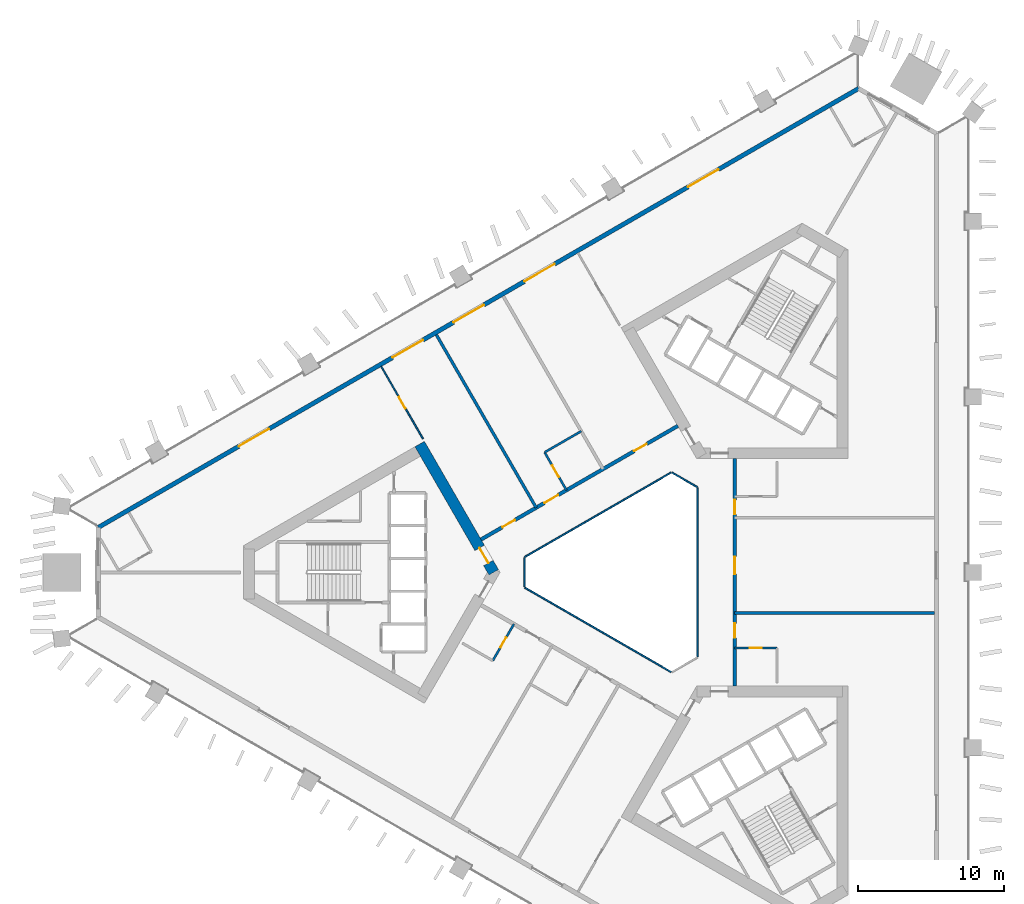
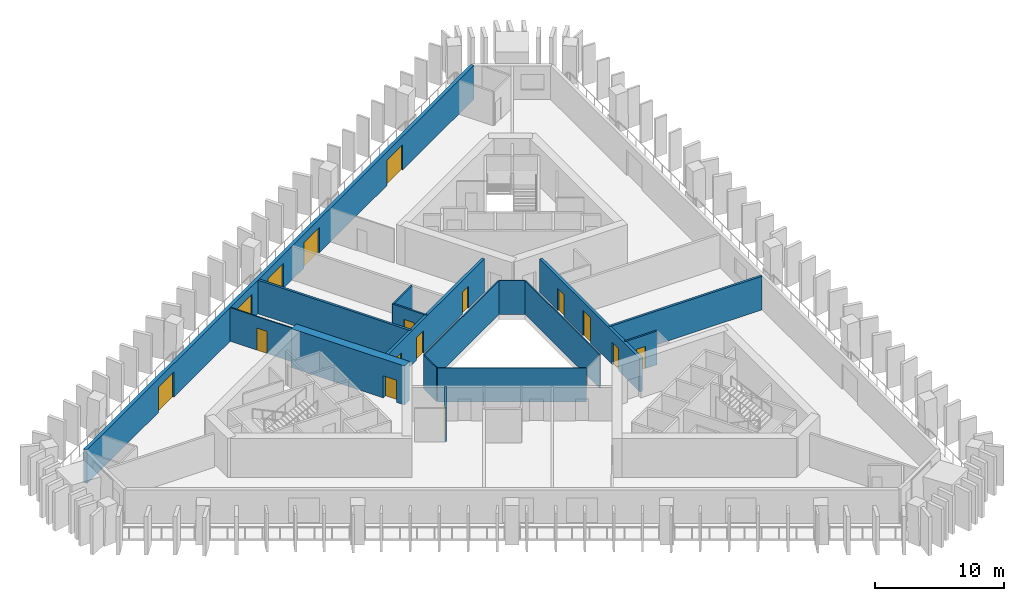
# One storey, part 4 of 10: 16 doors, 16 walls, 16 openings.
"""IFC4 building model written with IfcOpenShell, lengths in metres."""

from ifc_helpers import new_model, si_unit, direction, frame, frame_2d, origin, place, context, subcontext, project, spatial, rectangle, extrude, material, layer, layer_set, type_object, element, fill, save


model = new_model("IFC4")

# Units and contexts
model_context = context("Model", 3, precision=1e-05, world=origin(), true_north=direction((0.0, 1.0)))
body_context = subcontext(model_context, "Body", "Model", "MODEL_VIEW")
ifc_project = project(units=[si_unit("LENGTHUNIT", "METRE"), si_unit("AREAUNIT", "SQUARE_METRE"), si_unit("VOLUMEUNIT", "CUBIC_METRE"), si_unit("PLANEANGLEUNIT", "RADIAN"), si_unit("MASSUNIT", "GRAM", prefix="KILO")], contexts=[model_context])

# Site, building, storey
site_placement = place(None, origin())
site = spatial("IfcSite", under=ifc_project, at=site_placement, CompositionType="ELEMENT")
building_placement = place(site_placement, origin())
building = spatial("IfcBuilding", under=site, at=building_placement, Name="Jabali Bay Hotel Tower and Convention Centre", CompositionType="ELEMENT")
storey_placement = place(building_placement, frame((0.0, 0.0, 57.300048828125)))
storey = spatial("IfcBuildingStorey", under=building, at=storey_placement, Name="L12", CompositionType="ELEMENT", Elevation=57.300048828125)

# Walls
ifc_material_1 = material(Name="Fire-resistant glazing", Category="glass")
ifc_layer_1 = layer(ifc_material_1, 0.10009765625)
ifc_layer_set_1 = layer_set([ifc_layer_1], Name="Fire-resistant glazing")
wall_type_1 = type_object("IfcWallType", Name="Atrium glazed screen 100", PredefinedType="PARTITIONING", material=ifc_layer_set_1)
wall_1_placement = place(storey_placement, frame((79.56005859375, 74.205810546875, 0.0), z_axis=(0.0, 0.0, 1.0), x_axis=(0.0, 1.0, 0.0)))
element("IfcWall", 1, at=wall_1_placement, inside=storey, type_object=wall_type_1, Name="Atrium screen 1 L12", PredefinedType="PARTITIONING", context=body_context, shape_type="SweptSolid", body=[
    extrude(rectangle(XDim=11.58837890625, YDim=0.10009765625, at=frame_2d((5.794189453125, 0.0))), origin(), (0.0, 0.0, 1.0), 3.199951171875),
])
wall_2_placement = place(storey_placement, frame((79.530029296875, 85.84619140625, 0.0), z_axis=(0.0, 0.0, 1.0), x_axis=(-0.866041268327, 0.499972520799, 0.0)))
element("IfcWall", 2, at=wall_2_placement, inside=storey, type_object=wall_type_1, Name="Atrium screen 2 L12", PredefinedType="PARTITIONING", context=body_context, shape_type="SweptSolid", body=[
    extrude(rectangle(XDim=2.0, YDim=0.10009765625, at=frame_2d((1.0, 0.0))), origin(), (0.0, 0.0, 1.0), 3.199951171875),
])
wall_3_placement = place(storey_placement, frame((77.738037109375, 86.84619140625, 0.0), z_axis=(0.0, 0.0, 1.0), x_axis=(-0.866026658274, -0.499997827154, 0.0)))
element("IfcWall", 3, at=wall_3_placement, inside=storey, type_object=wall_type_1, Name="Atrium screen 3 L12", PredefinedType="PARTITIONING", context=body_context, shape_type="SweptSolid", body=[
    extrude(rectangle(XDim=11.58837890625, YDim=0.10009765625, at=frame_2d((5.794189453125, 0.0))), origin(), (0.0, 0.0, 1.0), 3.199951171875),
])
wall_4_placement = place(storey_placement, frame((67.672119140625, 81.0, 0.0), z_axis=(0.0, 0.0, 1.0), x_axis=(0.0, -1.0, 0.0)))
element("IfcWall", 4, at=wall_4_placement, inside=storey, type_object=wall_type_1, Name="Atrium screen 4 L12", PredefinedType="PARTITIONING", context=body_context, shape_type="SweptSolid", body=[
    extrude(rectangle(XDim=2.0, YDim=0.10009765625, at=frame_2d((1.0, 0.0))), origin(), (0.0, 0.0, 1.0), 3.199951171875),
])
wall_5_placement = place(storey_placement, frame((67.7021484375, 78.947998046875, 0.0), z_axis=(0.0, 0.0, 1.0), x_axis=(0.866026658274, -0.499997827154, 0.0)))
element("IfcWall", 5, at=wall_5_placement, inside=storey, type_object=wall_type_1, Name="Atrium screen 5 L12", PredefinedType="PARTITIONING", context=body_context, shape_type="SweptSolid", body=[
    extrude(rectangle(XDim=11.58837890625, YDim=0.10009765625, at=frame_2d((5.794189453125, 0.0))), origin(), (0.0, 0.0, 1.0), 3.199951171875),
])

# Wall, opening, door
ifc_material_2 = material(Name="Concrete C60", Category="concrete")
ifc_layer_2 = layer(ifc_material_2, 0.75)
ifc_layer_set_2 = layer_set([ifc_layer_2], Name="Concrete C60")
wall_type_2 = type_object("IfcWallType", Name="Core wall 750", PredefinedType="SHEAR", material=ifc_layer_set_2)
wall_6_placement = place(storey_placement, frame((65.56689453125, 80.0, 0.0), z_axis=(0.0, 0.0, 1.0), x_axis=(-0.499988615364, 0.866031976607, 0.0)))
wall_6 = element("IfcWall", 6, at=wall_6_placement, inside=storey, type_object=wall_type_2, Name="Core wall 1.1 L12", PredefinedType="SHEAR", context=body_context, shape_type="SweptSolid", body=[
    extrude(rectangle(XDim=10.163330078125, YDim=0.75, at=frame_2d((5.08154296875, 0.0))), origin(), (0.0, 0.0, 1.0), 3.699951171875),
])
opening_1_placement = place(wall_6_placement, frame((0.7333984375, 0.0, 0.0)))
opening_1 = element("IfcOpeningElement", 7, at=opening_1_placement, cuts=wall_6, Name="Opening D324", PredefinedType="OPENING", context=body_context, shape_type="SweptSolid", body=[
    extrude(rectangle(XDim=1.199951171875, YDim=2.10009765625, at=frame_2d((0.60009765625, 1.050048828125))), frame((0.0, 0.385498046875, 0.0), z_axis=(0.0, -1.0, 0.0), x_axis=(1.0, 0.0, 0.0)), (0.0, 0.0, 1.0), 0.77099609375),
])
ifc_material_3 = material(Name="Fire-rated steel door", Category="steel")
door_type_1 = type_object("IfcDoorType", Name="Corridor end fire door 1200 x 2100", OperationType="NOTDEFINED", PredefinedType="NOTDEFINED", material=ifc_material_3)
door_1_placement = place(opening_1_placement, origin())
door_1 = element("IfcDoor", 8, at=door_1_placement, inside=storey, type_object=door_type_1, Name="Corridor end fire door D324", OperationType="SINGLE_SWING_RIGHT", OverallHeight=2.10009765625, OverallWidth=1.199951171875, PredefinedType="NOTDEFINED", context=body_context, shape_type="SweptSolid", body=[
    extrude(rectangle(XDim=1.199951171875, YDim=2.10009765625, at=frame_2d((0.60009765625, 1.050048828125))), frame((0.0, 0.02490234375, 0.0), z_axis=(0.0, -1.0, 0.0), x_axis=(1.0, 0.0, 0.0)), (0.0, 0.0, 1.0), 0.050048828125),
])
fill(opening_1, door_1)

# Wall, openings, doors
ifc_layer_3 = layer(ifc_material_2, 0.25)
ifc_layer_set_3 = layer_set([ifc_layer_3], Name="Concrete C60")
wall_type_3 = type_object("IfcWallType", Name="Corridor wall 250", PredefinedType="SHEAR", material=ifc_layer_set_3)
wall_7_placement = place(storey_placement, frame((82.10009765625, 72.205810546875, 0.0), z_axis=(0.0, 0.0, 1.0), x_axis=(0.0, 1.0, 0.0)))
wall_7 = element("IfcWall", 9, at=wall_7_placement, inside=storey, type_object=wall_type_3, Name="Corridor wall 1 L12", PredefinedType="SHEAR", context=body_context, shape_type="SweptSolid", body=[
    extrude(rectangle(XDim=15.58837890625, YDim=0.25, at=frame_2d((7.794189453125, 0.0))), origin(), (0.0, 0.0, 1.0), 3.199951171875),
])
opening_2_placement = place(wall_7_placement, frame((3.294189453125, 0.0, 0.0)))
opening_2 = element("IfcOpeningElement", 10, at=opening_2_placement, cuts=wall_7, Name="Opening 1202", PredefinedType="OPENING", context=body_context, shape_type="SweptSolid", body=[
    extrude(rectangle(XDim=1.0, YDim=2.10009765625, at=frame_2d((0.5, 1.050048828125))), frame((0.0, 0.135498046875, 0.0), z_axis=(0.0, -1.0, 0.0), x_axis=(1.0, 0.0, 0.0)), (0.0, 0.0, 1.0), 0.27099609375),
])
opening_3_placement = place(wall_7_placement, frame((7.661865234375, 0.0, 0.0)))
opening_3 = element("IfcOpeningElement", 11, at=opening_3_placement, cuts=wall_7, Name="Opening 1203", PredefinedType="OPENING", context=body_context, shape_type="SweptSolid", body=[
    extrude(rectangle(XDim=1.199951171875, YDim=2.39990234375, at=frame_2d((0.60009765625, 1.199951171875))), frame((0.0, 0.135498046875, 0.0), z_axis=(0.0, -1.0, 0.0), x_axis=(1.0, 0.0, 0.0)), (0.0, 0.0, 1.0), 0.27099609375),
])
opening_4_placement = place(wall_7_placement, frame((11.761962890625, 0.0, 0.0)))
opening_4 = element("IfcOpeningElement", 12, at=opening_4_placement, cuts=wall_7, Name="Opening 1205", PredefinedType="OPENING", context=body_context, shape_type="SweptSolid", body=[
    extrude(rectangle(XDim=1.0, YDim=2.10009765625, at=frame_2d((0.5, 1.050048828125))), frame((0.0, 0.135498046875, 0.0), z_axis=(0.0, -1.0, 0.0), x_axis=(1.0, 0.0, 0.0)), (0.0, 0.0, 1.0), 0.27099609375),
])
ifc_material_4 = material(Name="Timber", Category="wood")
door_type_2 = type_object("IfcDoorType", Name="Guest room door 1000 x 2100", OperationType="NOTDEFINED", PredefinedType="NOTDEFINED", material=ifc_material_4)
door_2_placement = place(opening_2_placement, origin())
door_2 = element("IfcDoor", 13, at=door_2_placement, inside=storey, type_object=door_type_2, Name="Door 1202", OperationType="SINGLE_SWING_LEFT", OverallHeight=2.10009765625, OverallWidth=1.0, PredefinedType="NOTDEFINED", context=body_context, shape_type="SweptSolid", body=[
    extrude(rectangle(XDim=1.0, YDim=2.10009765625, at=frame_2d((0.5, 1.050048828125))), frame((0.0, 0.02490234375, 0.0), z_axis=(0.0, -1.0, 0.0), x_axis=(1.0, 0.0, 0.0)), (0.0, 0.0, 1.0), 0.050048828125),
])
fill(opening_2, door_2)
door_3_placement = place(opening_4_placement, origin())
door_3 = element("IfcDoor", 14, at=door_3_placement, inside=storey, type_object=door_type_2, Name="Door 1205", OperationType="SINGLE_SWING_RIGHT", OverallHeight=2.10009765625, OverallWidth=1.0, PredefinedType="NOTDEFINED", context=body_context, shape_type="SweptSolid", body=[
    extrude(rectangle(XDim=1.0, YDim=2.10009765625, at=frame_2d((0.5, 1.050048828125))), frame((0.0, 0.02490234375, 0.0), z_axis=(0.0, -1.0, 0.0), x_axis=(1.0, 0.0, 0.0)), (0.0, 0.0, 1.0), 0.050048828125),
])
fill(opening_4, door_3)
door_type_3 = type_object("IfcDoorType", Name="Public room door 1200 x 2400", OperationType="NOTDEFINED", PredefinedType="NOTDEFINED", material=ifc_material_4)
door_4_placement = place(opening_3_placement, origin())
door_4 = element("IfcDoor", 15, at=door_4_placement, inside=storey, type_object=door_type_3, Name="Door 1203", OperationType="SINGLE_SWING_RIGHT", OverallHeight=2.39990234375, OverallWidth=1.199951171875, PredefinedType="NOTDEFINED", context=body_context, shape_type="SweptSolid", body=[
    extrude(rectangle(XDim=1.199951171875, YDim=2.39990234375, at=frame_2d((0.60009765625, 1.199951171875))), frame((0.0, 0.02490234375, 0.0), z_axis=(0.0, -1.0, 0.0), x_axis=(1.0, 0.0, 0.0)), (0.0, 0.0, 1.0), 0.050048828125),
])
fill(opening_3, door_4)

wall_8_placement = place(storey_placement, frame((78.199951171875, 90.0458984375, 0.0), z_axis=(0.0, 0.0, 1.0), x_axis=(-0.866026492143, -0.499998114903, 0.0)))
wall_8 = element("IfcWall", 16, at=wall_8_placement, inside=storey, type_object=wall_type_3, Name="Corridor wall 2 L12", PredefinedType="SHEAR", context=body_context, shape_type="SweptSolid", body=[
    extrude(rectangle(XDim=15.58837890625, YDim=0.25, at=frame_2d((7.794189453125, 0.0))), origin(), (0.0, 0.0, 1.0), 3.199951171875),
])
opening_5_placement = place(wall_8_placement, frame((2.4619140625, 0.0, 0.0)))
opening_5 = element("IfcOpeningElement", 17, at=opening_5_placement, cuts=wall_8, Name="Opening 1206", PredefinedType="OPENING", context=body_context, shape_type="SweptSolid", body=[
    extrude(rectangle(XDim=1.0, YDim=2.10009765625, at=frame_2d((0.5, 1.050048828125))), frame((0.0, 0.135498046875, 0.0), z_axis=(0.0, -1.0, 0.0), x_axis=(1.0, 0.0, 0.0)), (0.0, 0.0, 1.0), 0.27099609375),
])
opening_6_placement = place(wall_8_placement, frame((9.4736328125, 0.0, 0.0)))
opening_6 = element("IfcOpeningElement", 18, at=opening_6_placement, cuts=wall_8, Name="Opening 1210", PredefinedType="OPENING", context=body_context, shape_type="SweptSolid", body=[
    extrude(rectangle(XDim=1.10009765625, YDim=2.10009765625, at=frame_2d((0.550048828125, 1.050048828125))), frame((0.0, 0.135498046875, 0.0), z_axis=(0.0, -1.0, 0.0), x_axis=(1.0, 0.0, 0.0)), (0.0, 0.0, 1.0), 0.27099609375),
])
opening_7_placement = place(wall_8_placement, frame((12.906005859375, 0.0, 0.0)))
opening_7 = element("IfcOpeningElement", 19, at=opening_7_placement, cuts=wall_8, Name="Opening 1211", PredefinedType="OPENING", context=body_context, shape_type="SweptSolid", body=[
    extrude(rectangle(XDim=1.0, YDim=2.10009765625, at=frame_2d((0.5, 1.050048828125))), frame((0.0, 0.135498046875, 0.0), z_axis=(0.0, -1.0, 0.0), x_axis=(1.0, 0.0, 0.0)), (0.0, 0.0, 1.0), 0.27099609375),
])
door_type_4 = type_object("IfcDoorType", Name="Accessible guest room door 1100 x 2100", OperationType="NOTDEFINED", PredefinedType="NOTDEFINED", material=ifc_material_4)
door_5_placement = place(opening_6_placement, origin())
door_5 = element("IfcDoor", 20, at=door_5_placement, inside=storey, type_object=door_type_4, Name="Door 1210", OperationType="SINGLE_SWING_RIGHT", OverallHeight=2.10009765625, OverallWidth=1.10009765625, PredefinedType="NOTDEFINED", context=body_context, shape_type="SweptSolid", body=[
    extrude(rectangle(XDim=1.10009765625, YDim=2.10009765625, at=frame_2d((0.550048828125, 1.050048828125))), frame((0.0, 0.02490234375, 0.0), z_axis=(0.0, -1.0, 0.0), x_axis=(1.0, 0.0, 0.0)), (0.0, 0.0, 1.0), 0.050048828125),
])
fill(opening_6, door_5)
door_6_placement = place(opening_5_placement, origin())
door_6 = element("IfcDoor", 21, at=door_6_placement, inside=storey, type_object=door_type_2, Name="Door 1206", OperationType="SINGLE_SWING_LEFT", OverallHeight=2.10009765625, OverallWidth=1.0, PredefinedType="NOTDEFINED", context=body_context, shape_type="SweptSolid", body=[
    extrude(rectangle(XDim=1.0, YDim=2.10009765625, at=frame_2d((0.5, 1.050048828125))), frame((0.0, 0.02490234375, 0.0), z_axis=(0.0, -1.0, 0.0), x_axis=(1.0, 0.0, 0.0)), (0.0, 0.0, 1.0), 0.050048828125),
])
fill(opening_5, door_6)
door_7_placement = place(opening_7_placement, origin())
door_7 = element("IfcDoor", 22, at=door_7_placement, inside=storey, type_object=door_type_2, Name="Door 1211", OperationType="SINGLE_SWING_RIGHT", OverallHeight=2.10009765625, OverallWidth=1.0, PredefinedType="NOTDEFINED", context=body_context, shape_type="SweptSolid", body=[
    extrude(rectangle(XDim=1.0, YDim=2.10009765625, at=frame_2d((0.5, 1.050048828125))), frame((0.0, 0.02490234375, 0.0), z_axis=(0.0, -1.0, 0.0), x_axis=(1.0, 0.0, 0.0)), (0.0, 0.0, 1.0), 0.050048828125),
])
fill(opening_7, door_7)

ifc_material_5 = material(Name="Concrete C40", Category="concrete")
ifc_layer_4 = layer(ifc_material_5, 0.300048828125)
ifc_layer_set_4 = layer_set([ifc_layer_4], Name="Concrete C40")
wall_type_4 = type_object("IfcWallType", Name="External wall 300", PredefinedType="SOLIDWALL", material=ifc_layer_set_4)
wall_9_placement = place(storey_placement, frame((38.44091796875, 83.082275390625, 0.0), z_axis=(0.0, 0.0, 1.0), x_axis=(0.866026578911, 0.499997964616, 0.0)))
wall_9 = element("IfcWall", 23, at=wall_9_placement, inside=storey, type_object=wall_type_4, Name="External wall north-west face L12", PredefinedType="SOLIDWALL", context=body_context, shape_type="SweptSolid", body=[
    extrude(rectangle(XDim=60.239990234375, YDim=0.300048828125, at=frame_2d((30.1201171875, 0.0))), origin(), (0.0, 0.0, 1.0), 3.199951171875),
])
opening_8_placement = place(wall_9_placement, frame((28.140625, 0.0, 0.0)))
opening_8 = element("IfcOpeningElement", 24, at=opening_8_placement, cuts=wall_9, Name="Opening SD1", PredefinedType="OPENING", context=body_context, shape_type="SweptSolid", body=[
    extrude(rectangle(XDim=2.39990234375, YDim=2.39990234375, at=frame_2d((1.199951171875, 1.199951171875))), frame((0.0, 0.16064453125, 0.0), z_axis=(0.0, -1.0, 0.0), x_axis=(1.0, 0.0, 0.0)), (0.0, 0.0, 1.0), 0.321044921875),
])
opening_9_placement = place(wall_9_placement, frame((33.75244140625, 0.0, 0.0)))
opening_9 = element("IfcOpeningElement", 25, at=opening_9_placement, cuts=wall_9, Name="Opening SD1", PredefinedType="OPENING", context=body_context, shape_type="SweptSolid", body=[
    extrude(rectangle(XDim=2.39990234375, YDim=2.39990234375, at=frame_2d((1.199951171875, 1.199951171875))), frame((0.0, 0.16064453125, 0.0), z_axis=(0.0, -1.0, 0.0), x_axis=(1.0, 0.0, 0.0)), (0.0, 0.0, 1.0), 0.321044921875),
])
opening_10_placement = place(wall_9_placement, frame((46.7216796875, 0.0, 0.0)))
opening_10 = element("IfcOpeningElement", 26, at=opening_10_placement, cuts=wall_9, Name="Opening SD1", PredefinedType="OPENING", context=body_context, shape_type="SweptSolid", body=[
    extrude(rectangle(XDim=2.39990234375, YDim=2.39990234375, at=frame_2d((1.199951171875, 1.199951171875))), frame((0.0, 0.16064453125, 0.0), z_axis=(0.0, -1.0, 0.0), x_axis=(1.0, 0.0, 0.0)), (0.0, 0.0, 1.0), 0.321044921875),
])
opening_11_placement = place(wall_9_placement, frame((23.308349609375, 0.0, 0.0)))
opening_11 = element("IfcOpeningElement", 27, at=opening_11_placement, cuts=wall_9, Name="Opening SD1", PredefinedType="OPENING", context=body_context, shape_type="SweptSolid", body=[
    extrude(rectangle(XDim=2.39990234375, YDim=2.39990234375, at=frame_2d((1.199951171875, 1.199951171875))), frame((0.0, 0.16064453125, 0.0), z_axis=(0.0, -1.0, 0.0), x_axis=(1.0, 0.0, 0.0)), (0.0, 0.0, 1.0), 0.321044921875),
])
opening_12_placement = place(wall_9_placement, frame((11.116943359375, 0.0, 0.0)))
opening_12 = element("IfcOpeningElement", 28, at=opening_12_placement, cuts=wall_9, Name="Opening SD1", PredefinedType="OPENING", context=body_context, shape_type="SweptSolid", body=[
    extrude(rectangle(XDim=2.39990234375, YDim=2.39990234375, at=frame_2d((1.199951171875, 1.199951171875))), frame((0.0, 0.16064453125, 0.0), z_axis=(0.0, -1.0, 0.0), x_axis=(1.0, 0.0, 0.0)), (0.0, 0.0, 1.0), 0.321044921875),
])
ifc_material_6 = material(Name="Glass", Category="glass")
door_type_5 = type_object("IfcDoorType", Name="Loggia sliding door 2400 x 2400", OperationType="NOTDEFINED", PredefinedType="NOTDEFINED", material=ifc_material_6)
door_8_placement = place(opening_8_placement, origin())
door_8 = element("IfcDoor", 29, at=door_8_placement, inside=storey, type_object=door_type_5, Name="Loggia sliding door 1204", OperationType="SLIDING_TO_LEFT", OverallHeight=2.39990234375, OverallWidth=2.39990234375, PredefinedType="NOTDEFINED", context=body_context, shape_type="SweptSolid", body=[
    extrude(rectangle(XDim=2.39990234375, YDim=2.39990234375, at=frame_2d((1.199951171875, 1.199951171875))), frame((0.0, 0.02490234375, 0.0), z_axis=(0.0, -1.0, 0.0), x_axis=(1.0, 0.0, 0.0)), (0.0, 0.0, 1.0), 0.050048828125),
])
fill(opening_8, door_8)
door_9_placement = place(opening_9_placement, origin())
door_9 = element("IfcDoor", 30, at=door_9_placement, inside=storey, type_object=door_type_5, Name="Loggia sliding door 1203", OperationType="SLIDING_TO_RIGHT", OverallHeight=2.39990234375, OverallWidth=2.39990234375, PredefinedType="NOTDEFINED", context=body_context, shape_type="SweptSolid", body=[
    extrude(rectangle(XDim=2.39990234375, YDim=2.39990234375, at=frame_2d((1.199951171875, 1.199951171875))), frame((0.0, 0.02490234375, 0.0), z_axis=(0.0, -1.0, 0.0), x_axis=(1.0, 0.0, 0.0)), (0.0, 0.0, 1.0), 0.050048828125),
])
fill(opening_9, door_9)
door_10_placement = place(opening_10_placement, origin())
door_10 = element("IfcDoor", 31, at=door_10_placement, inside=storey, type_object=door_type_5, Name="Loggia sliding door 1203", OperationType="SLIDING_TO_LEFT", OverallHeight=2.39990234375, OverallWidth=2.39990234375, PredefinedType="NOTDEFINED", context=body_context, shape_type="SweptSolid", body=[
    extrude(rectangle(XDim=2.39990234375, YDim=2.39990234375, at=frame_2d((1.199951171875, 1.199951171875))), frame((0.0, 0.02490234375, 0.0), z_axis=(0.0, -1.0, 0.0), x_axis=(1.0, 0.0, 0.0)), (0.0, 0.0, 1.0), 0.050048828125),
])
fill(opening_10, door_10)
door_11_placement = place(opening_11_placement, origin())
door_11 = element("IfcDoor", 32, at=door_11_placement, inside=storey, type_object=door_type_5, Name="Loggia sliding door 1205", OperationType="SLIDING_TO_RIGHT", OverallHeight=2.39990234375, OverallWidth=2.39990234375, PredefinedType="NOTDEFINED", context=body_context, shape_type="SweptSolid", body=[
    extrude(rectangle(XDim=2.39990234375, YDim=2.39990234375, at=frame_2d((1.199951171875, 1.199951171875))), frame((0.0, 0.02490234375, 0.0), z_axis=(0.0, -1.0, 0.0), x_axis=(1.0, 0.0, 0.0)), (0.0, 0.0, 1.0), 0.050048828125),
])
fill(opening_11, door_11)
door_12_placement = place(opening_12_placement, origin())
door_12 = element("IfcDoor", 33, at=door_12_placement, inside=storey, type_object=door_type_5, Name="Loggia sliding door 1205", OperationType="SLIDING_TO_LEFT", OverallHeight=2.39990234375, OverallWidth=2.39990234375, PredefinedType="NOTDEFINED", context=body_context, shape_type="SweptSolid", body=[
    extrude(rectangle(XDim=2.39990234375, YDim=2.39990234375, at=frame_2d((1.199951171875, 1.199951171875))), frame((0.0, 0.02490234375, 0.0), z_axis=(0.0, -1.0, 0.0), x_axis=(1.0, 0.0, 0.0)), (0.0, 0.0, 1.0), 0.050048828125),
])
fill(opening_12, door_12)

# Wall, opening, door
ifc_material_7 = material(Name="Plasterboard on steel stud", Category="steel")
ifc_layer_5 = layer(ifc_material_7, 0.10009765625)
ifc_layer_set_5 = layer_set([ifc_layer_5], Name="Plasterboard on steel stud")
wall_type_5 = type_object("IfcWallType", Name="Partition 100 unit", PredefinedType="PARTITIONING", material=ifc_layer_set_5)
wall_10_placement = place(storey_placement, frame((57.85009765625, 94.115966796875, 0.0), z_axis=(0.0, 0.0, 1.0), x_axis=(0.499994590374, -0.866028527011, 0.0)))
wall_10 = element("IfcWall", 34, at=wall_10_placement, inside=storey, type_object=wall_type_5, Name="Partition P02 L12 017", PredefinedType="PARTITIONING", context=body_context, shape_type="SweptSolid", body=[
    extrude(rectangle(XDim=5.720703125, YDim=0.10009765625, at=frame_2d((2.8603515625, 0.0))), origin(), (0.0, 0.0, 1.0), 3.199951171875),
])
opening_13_placement = place(wall_10_placement, frame((2.409912109375, 0.0, 0.0)))
opening_13 = element("IfcOpeningElement", 35, at=opening_13_placement, cuts=wall_10, Name="Opening 1212", PredefinedType="OPENING", context=body_context, shape_type="SweptSolid", body=[
    extrude(rectangle(XDim=0.89990234375, YDim=2.10009765625, at=frame_2d((0.449951171875, 1.050048828125))), frame((0.0, 0.060546875, 0.0), z_axis=(0.0, -1.0, 0.0), x_axis=(1.0, 0.0, 0.0)), (0.0, 0.0, 1.0), 0.12109375),
])
door_type_6 = type_object("IfcDoorType", Name="Internal door 900 x 2100", OperationType="NOTDEFINED", PredefinedType="NOTDEFINED", material=ifc_material_4)
door_13_placement = place(opening_13_placement, origin())
door_13 = element("IfcDoor", 36, at=door_13_placement, inside=storey, type_object=door_type_6, Name="Door 1212", OperationType="SINGLE_SWING_LEFT", OverallHeight=2.10009765625, OverallWidth=0.89990234375, PredefinedType="NOTDEFINED", context=body_context, shape_type="SweptSolid", body=[
    extrude(rectangle(XDim=0.89990234375, YDim=2.10009765625, at=frame_2d((0.449951171875, 1.050048828125))), frame((0.0, 0.02490234375, 0.0), z_axis=(0.0, -1.0, 0.0), x_axis=(1.0, 0.0, 0.0)), (0.0, 0.0, 1.0), 0.050048828125),
])
fill(opening_13, door_13)

ifc_layer_6 = layer(ifc_material_7, 0.14990234375)
ifc_layer_set_6 = layer_set([ifc_layer_6], Name="Plasterboard on steel stud")
wall_type_6 = type_object("IfcWallType", Name="Partition 150 wet", PredefinedType="PARTITIONING", material=ifc_layer_set_6)
wall_11_placement = place(storey_placement, frame((82.10009765625, 74.8056640625, 0.0), z_axis=(0.0, 0.0, 1.0), x_axis=(1.0, 0.0, 0.0)))
wall_11 = element("IfcWall", 37, at=wall_11_placement, inside=storey, type_object=wall_type_6, Name="Partition P03 L12 001", PredefinedType="PARTITIONING", context=body_context, shape_type="SweptSolid", body=[
    extrude(rectangle(XDim=2.89990234375, YDim=0.14990234375, at=frame_2d((1.449951171875, 0.0))), origin(), (0.0, 0.0, 1.0), 3.199951171875),
])
opening_14_placement = place(wall_11_placement, frame((1.050048828125, 0.0, 0.0)))
opening_14 = element("IfcOpeningElement", 38, at=opening_14_placement, cuts=wall_11, Name="Opening 1201", PredefinedType="OPENING", context=body_context, shape_type="SweptSolid", body=[
    extrude(rectangle(XDim=0.800048828125, YDim=2.10009765625, at=frame_2d((0.39990234375, 1.050048828125))), frame((0.0, 0.08544921875, 0.0), z_axis=(0.0, -1.0, 0.0), x_axis=(1.0, 0.0, 0.0)), (0.0, 0.0, 1.0), 0.1708984375),
])
door_type_7 = type_object("IfcDoorType", Name="En-suite door 800 x 2100", OperationType="NOTDEFINED", PredefinedType="NOTDEFINED", material=ifc_material_4)
door_14_placement = place(opening_14_placement, origin())
door_14 = element("IfcDoor", 39, at=door_14_placement, inside=storey, type_object=door_type_7, Name="Door 1201", OperationType="SINGLE_SWING_LEFT", OverallHeight=2.10009765625, OverallWidth=0.800048828125, PredefinedType="NOTDEFINED", context=body_context, shape_type="SweptSolid", body=[
    extrude(rectangle(XDim=0.800048828125, YDim=2.10009765625, at=frame_2d((0.39990234375, 1.050048828125))), frame((0.0, 0.02490234375, 0.0), z_axis=(0.0, -1.0, 0.0), x_axis=(1.0, 0.0, 0.0)), (0.0, 0.0, 1.0), 0.050048828125),
])
fill(opening_14, door_14)

wall_12_placement = place(storey_placement, frame((70.55859375, 85.634033203125, 0.0), z_axis=(0.0, 0.0, 1.0), x_axis=(-0.499990139034, 0.866031096941, 0.0)))
wall_12 = element("IfcWall", 40, at=wall_12_placement, inside=storey, type_object=wall_type_6, Name="Partition P03 L12 014", PredefinedType="PARTITIONING", context=body_context, shape_type="SweptSolid", body=[
    extrude(rectangle(XDim=3.0, YDim=0.14990234375, at=frame_2d((1.5, 0.0))), origin(), (0.0, 0.0, 1.0), 3.199951171875),
])
opening_15_placement = place(wall_12_placement, frame((1.050048828125, 0.0, 0.0)))
opening_15 = element("IfcOpeningElement", 41, at=opening_15_placement, cuts=wall_12, Name="Opening 1209", PredefinedType="OPENING", context=body_context, shape_type="SweptSolid", body=[
    extrude(rectangle(XDim=0.89990234375, YDim=2.10009765625, at=frame_2d((0.449951171875, 1.050048828125))), frame((0.0, 0.08544921875, 0.0), z_axis=(0.0, -1.0, 0.0), x_axis=(1.0, 0.0, 0.0)), (0.0, 0.0, 1.0), 0.1708984375),
])
door_type_8 = type_object("IfcDoorType", Name="Accessible en-suite door 900 x 2100", OperationType="NOTDEFINED", PredefinedType="NOTDEFINED", material=ifc_material_4)
door_15_placement = place(opening_15_placement, origin())
door_15 = element("IfcDoor", 42, at=door_15_placement, inside=storey, type_object=door_type_8, Name="Door 1209", OperationType="SINGLE_SWING_RIGHT", OverallHeight=2.10009765625, OverallWidth=0.89990234375, PredefinedType="NOTDEFINED", context=body_context, shape_type="SweptSolid", body=[
    extrude(rectangle(XDim=0.89990234375, YDim=2.10009765625, at=frame_2d((0.449951171875, 1.050048828125))), frame((0.0, 0.02490234375, 0.0), z_axis=(0.0, -1.0, 0.0), x_axis=(1.0, 0.0, 0.0)), (0.0, 0.0, 1.0), 0.050048828125),
])
fill(opening_15, door_15)

# Wall
wall_13_placement = place(storey_placement, frame((69.05859375, 88.232177734375, 0.0), z_axis=(0.0, 0.0, 1.0), x_axis=(0.866032775405, 0.499987231761, 0.0)))
element("IfcWall", 43, at=wall_13_placement, inside=storey, type_object=wall_type_6, Name="Partition P03 L12 015", PredefinedType="PARTITIONING", context=body_context, shape_type="SweptSolid", body=[
    extrude(rectangle(XDim=2.89990234375, YDim=0.14990234375, at=frame_2d((1.449951171875, 0.0))), origin(), (0.0, 0.0, 1.0), 3.199951171875),
])

# Wall, opening, door
wall_14_placement = place(storey_placement, frame((66.95166015625, 76.4482421875, 0.0), z_axis=(0.0, 0.0, 1.0), x_axis=(-0.499987231761, -0.866032775405, 0.0)))
wall_14 = element("IfcWall", 44, at=wall_14_placement, inside=storey, type_object=wall_type_6, Name="Partition P03 L12 022", PredefinedType="PARTITIONING", context=body_context, shape_type="SweptSolid", body=[
    extrude(rectangle(XDim=2.89990234375, YDim=0.14990234375, at=frame_2d((1.449951171875, 0.0))), origin(), (0.0, 0.0, 1.0), 3.199951171875),
])
opening_16_placement = place(wall_14_placement, frame((1.050048828125, 0.0, 0.0)))
opening_16 = element("IfcOpeningElement", 45, at=opening_16_placement, cuts=wall_14, Name="Opening 1214", PredefinedType="OPENING", context=body_context, shape_type="SweptSolid", body=[
    extrude(rectangle(XDim=0.800048828125, YDim=2.10009765625, at=frame_2d((0.39990234375, 1.050048828125))), frame((0.0, 0.08544921875, 0.0), z_axis=(0.0, -1.0, 0.0), x_axis=(1.0, 0.0, 0.0)), (0.0, 0.0, 1.0), 0.1708984375),
])
door_16_placement = place(opening_16_placement, origin())
door_16 = element("IfcDoor", 46, at=door_16_placement, inside=storey, type_object=door_type_7, Name="Door 1214", OperationType="SINGLE_SWING_RIGHT", OverallHeight=2.10009765625, OverallWidth=0.800048828125, PredefinedType="NOTDEFINED", context=body_context, shape_type="SweptSolid", body=[
    extrude(rectangle(XDim=0.800048828125, YDim=2.10009765625, at=frame_2d((0.39990234375, 1.050048828125))), frame((0.0, 0.02490234375, 0.0), z_axis=(0.0, -1.0, 0.0), x_axis=(1.0, 0.0, 0.0)), (0.0, 0.0, 1.0), 0.050048828125),
])
fill(opening_16, door_16)

# Walls
ifc_layer_7 = layer(ifc_material_7, 0.199951171875)
ifc_layer_set_7 = layer_set([ifc_layer_7], Name="Plasterboard on steel stud")
wall_type_7 = type_object("IfcWallType", Name="Partition 200 party", PredefinedType="PARTITIONING", material=ifc_layer_set_7)
for number, where, z_axis, x_axis, name in (
    (47, (95.7998046875, 77.194091796875, 0.0), (0.0, 0.0, 1.0), (-1.0, 0.0, 0.0), "Partition P01 L12 003"),
    (48, (61.630126953125, 96.29833984375, 0.0), (0.0, 0.0, 1.0), (0.500001153704, -0.866024737692, 0.0), "Partition P01 L12 016"),
):
    element("IfcWall", number, at=place(storey_placement, frame(where, z_axis=z_axis, x_axis=x_axis)), inside=storey, type_object=wall_type_7, Name=name, PredefinedType="PARTITIONING", context=body_context, shape_type="SweptSolid", body=[
        extrude(rectangle(XDim=13.69970703125, YDim=0.199951171875, at=frame_2d((6.849853515625, 0.0))), origin(), (0.0, 0.0, 1.0), 3.199951171875),
    ])

save(model, "model.ifc")
